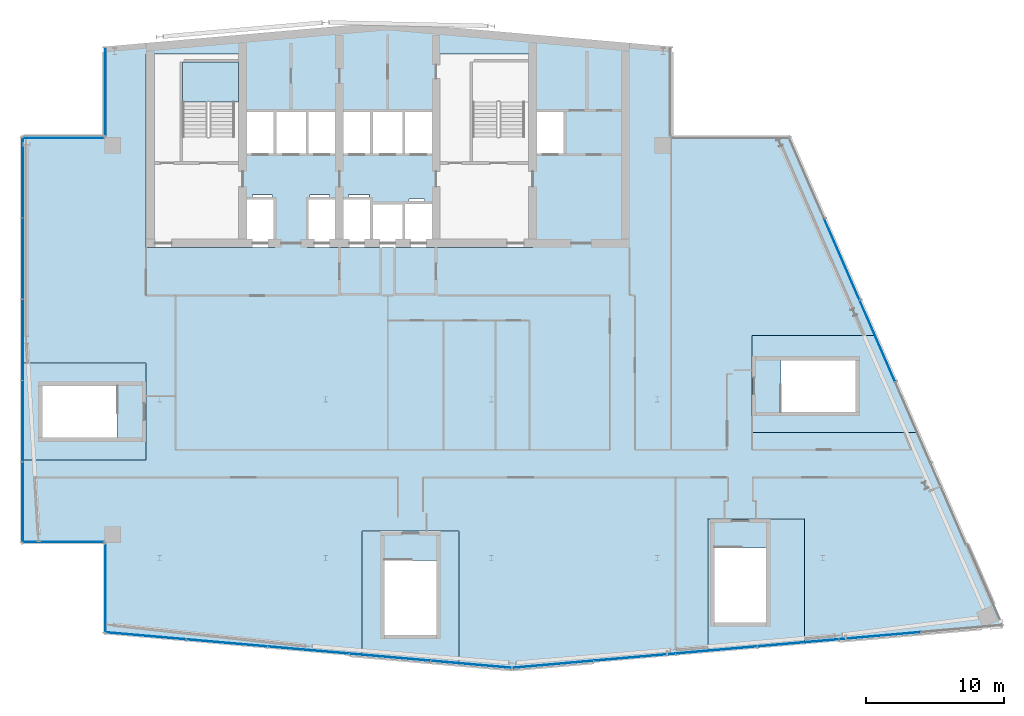
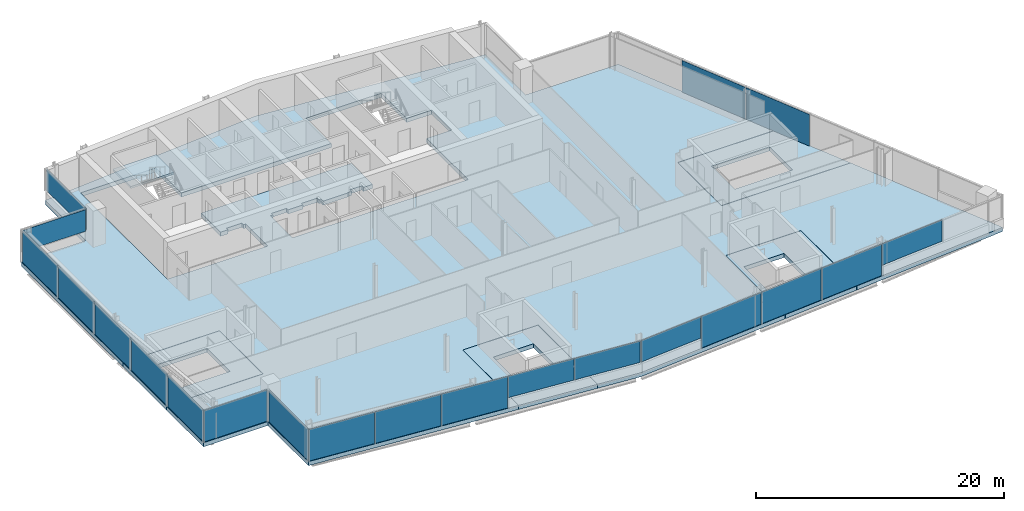
# One storey, part 12 of 19: 21 plates, 6 slabs, 9 elements without a shape of their own.
"""IFC4 building model written with IfcOpenShell, lengths in metres."""

from ifc_helpers import new_model, si_unit, direction, frame, origin, origin_2d, place, context, subcontext, project, spatial, polyline, rectangle, outline, extrude, material, layer, layer_set, type_object, element, aggregate, save


model = new_model("IFC4")

# Units and contexts
model_context = context("Model", 3, precision=1e-05, world=origin(), true_north=direction((0.0, 1.0)))
body_context = subcontext(model_context, "Body", "Model", "MODEL_VIEW")
ifc_project = project(units=[si_unit("LENGTHUNIT", "METRE"), si_unit("AREAUNIT", "SQUARE_METRE"), si_unit("VOLUMEUNIT", "CUBIC_METRE"), si_unit("PLANEANGLEUNIT", "RADIAN"), si_unit("MASSUNIT", "GRAM", prefix="KILO")], contexts=[model_context])

# Site, building, storey
site_placement = place(None, origin())
site = spatial("IfcSite", under=ifc_project, at=site_placement, CompositionType="ELEMENT")
building_placement = place(site_placement, origin())
building = spatial("IfcBuilding", under=site, at=building_placement, Name="Wharfspan Tower", CompositionType="ELEMENT")
storey_placement = place(building_placement, frame((0.0, 0.0, 257.5)))
storey = spatial("IfcBuildingStorey", under=building, at=storey_placement, Name="L65", CompositionType="ELEMENT", Elevation=257.5)

# Curtain wall, plates
ifc_material_1 = material(Name="Aluminium 6063-T6", Category="aluminium")
curtain_wall_type_1 = type_object("IfcCurtainWallType", Name="CURTAIN WALL FACETED FRONT", PredefinedType="NOTDEFINED", material=ifc_material_1)
curtain_wall_1_placement = place(storey_placement, origin())
curtain_wall_1 = element("IfcCurtainWall", 1, at=curtain_wall_1_placement, inside=storey, type_object=curtain_wall_type_1, Name="Curtain wall S1", PredefinedType="NOTDEFINED")
ifc_material_2 = material(Name="Glass clear low-iron double glazing", Category="glass")
ifc_layer_1 = layer(ifc_material_2, 0.040039)
ifc_layer_set_1 = layer_set([ifc_layer_1], Name="Glass clear low-iron double glazing")
plate_type_1 = type_object("IfcPlateType", Name="GLASS PANEL FACETED FRONT 40", PredefinedType="CURTAIN_PANEL", material=ifc_layer_set_1)
plate_1_placement = place(storey_placement, frame((40.655273, 4.328125, 1.0), z_axis=(0.0, 0.0, 1.0), x_axis=(0.996197, -0.087156, 0.0)))
plate_1 = element("IfcPlate", 2, at=plate_1_placement, type_object=plate_type_1, Name="Curtain wall S1 panel 4", PredefinedType="CURTAIN_PANEL", context=body_context, shape_type="SweptSolid", body=[
    extrude(rectangle(XDim=5.862549, YDim=0.040039, at=origin_2d()), origin(), (0.0, 0.0, 1.0), 2.120117),
])
plate_2_placement = place(storey_placement, frame((46.540283, 3.813232, 1.0), z_axis=(0.0, 0.0, 1.0), x_axis=(0.996197, -0.087156, 0.0)))
plate_2 = element("IfcPlate", 3, at=plate_2_placement, type_object=plate_type_1, Name="Curtain wall S1 panel 5", PredefinedType="CURTAIN_PANEL", context=body_context, shape_type="SweptSolid", body=[
    extrude(rectangle(XDim=5.83252, YDim=0.040039, at=origin_2d()), origin(), (0.0, 0.0, 1.0), 2.120117),
])

curtain_wall_2_placement = place(storey_placement, origin())
curtain_wall_2 = element("IfcCurtainWall", 4, at=curtain_wall_2_placement, inside=storey, type_object=curtain_wall_type_1, Name="Curtain wall S2", PredefinedType="NOTDEFINED")
plate_3_placement = place(storey_placement, frame((52.468018, 3.813965, 1.0), z_axis=(0.0, 0.0, 1.0), x_axis=(0.996197, 0.087156, 0.0)))
plate_3 = element("IfcPlate", 5, at=plate_3_placement, type_object=plate_type_1, Name="Curtain wall S2 panel 1", PredefinedType="CURTAIN_PANEL", context=body_context, shape_type="SweptSolid", body=[
    extrude(rectangle(XDim=5.849365, YDim=0.040039, at=origin_2d()), origin(), (0.0, 0.0, 1.0), 2.120117),
])
plate_4_placement = place(storey_placement, frame((76.119873, 5.883301, 1.0), z_axis=(0.0, 0.0, 1.0), x_axis=(0.996197, 0.087156, 0.0)))
plate_4 = element("IfcPlate", 6, at=plate_4_placement, type_object=plate_type_1, Name="Curtain wall S2 panel 5", PredefinedType="CURTAIN_PANEL", context=body_context, shape_type="SweptSolid", body=[
    extrude(rectangle(XDim=5.87915, YDim=0.040039, at=origin_2d()), origin(), (0.0, 0.0, 1.0), 2.120117),
])

# Curtain wall, plate
curtain_wall_type_2 = type_object("IfcCurtainWallType", Name="CURTAIN WALL PROW AND END", PredefinedType="NOTDEFINED", material=ifc_material_1)
curtain_wall_3_placement = place(storey_placement, origin())
curtain_wall_3 = element("IfcCurtainWall", 7, at=curtain_wall_3_placement, inside=storey, type_object=curtain_wall_type_2, Name="Curtain wall NRW-V", PredefinedType="NOTDEFINED")
ifc_layer_2 = layer(ifc_material_2, 0.040039)
ifc_layer_set_2 = layer_set([ifc_layer_2], Name="Glass clear low-iron double glazing")
plate_type_2 = type_object("IfcPlateType", Name="GLASS PANEL PROW AND END 40", PredefinedType="CURTAIN_PANEL", material=ifc_layer_set_2)
plate_5_placement = place(storey_placement, frame((20.080078, 45.262451, 1.0), z_axis=(0.0, 0.0, 1.0), x_axis=(0.0, -1.0, 0.0)))
plate_5 = element("IfcPlate", 8, at=plate_5_placement, type_object=plate_type_2, Name="Curtain wall NRW-V panel 1", PredefinedType="CURTAIN_PANEL", context=body_context, shape_type="SweptSolid", body=[
    extrude(rectangle(XDim=6.405029, YDim=0.040039, at=origin_2d()), origin(), (0.0, 0.0, 1.0), 2.120117),
])
aggregate(curtain_wall_3, [plate_5])

curtain_wall_4_placement = place(storey_placement, origin())
curtain_wall_4 = element("IfcCurtainWall", 9, at=curtain_wall_4_placement, inside=storey, type_object=curtain_wall_type_2, Name="Curtain wall NRW-H", PredefinedType="NOTDEFINED")
plate_6_placement = place(storey_placement, frame((17.0, 41.919922, 1.0), z_axis=(0.0, 0.0, 1.0), x_axis=(-1.0, 0.0, 0.0)))
plate_6 = element("IfcPlate", 10, at=plate_6_placement, type_object=plate_type_2, Name="Curtain wall NRW-H panel 1", PredefinedType="CURTAIN_PANEL", context=body_context, shape_type="SweptSolid", body=[
    extrude(rectangle(XDim=5.879883, YDim=0.040039, at=origin_2d()), origin(), (0.0, 0.0, 1.0), 2.120117),
])
aggregate(curtain_wall_4, [plate_6])

# Plate
ifc_material_3 = material(Name="Aluminium composite opaque insulated panel", Category="aluminium")
ifc_layer_3 = layer(ifc_material_3, 0.040039)
ifc_layer_set_3 = layer_set([ifc_layer_3], Name="Aluminium composite opaque insulated panel")
plate_type_3 = type_object("IfcPlateType", Name="INFILL PANEL FACETED FRONT OPAQUE 40", PredefinedType="SHEET", material=ifc_layer_set_3)
plate_7_placement = place(storey_placement, frame((22.970215, 5.875488, 0.0), z_axis=(0.0, 0.0, 1.0), x_axis=(0.996197, -0.087156, 0.0)))
plate_7 = element("IfcPlate", 11, at=plate_7_placement, type_object=plate_type_3, Name="Curtain wall S1 panel 1", PredefinedType="SHEET", context=body_context, shape_type="SweptSolid", body=[
    extrude(rectangle(XDim=5.83252, YDim=0.040039, at=origin_2d()), origin(), (0.0, 0.0, 1.0), 3.120117),
])

plate_8_placement = place(storey_placement, frame((28.855225, 5.360596, 0.0), z_axis=(0.0, 0.0, 1.0), x_axis=(0.996197, -0.087156, 0.0)))
plate_8 = element("IfcPlate", 12, at=plate_8_placement, type_object=plate_type_3, Name="Curtain wall S1 panel 2", PredefinedType="SHEET", context=body_context, shape_type="SweptSolid", body=[
    extrude(rectangle(XDim=5.862549, YDim=0.040039, at=origin_2d()), origin(), (0.0, 0.0, 1.0), 3.120117),
])

plate_9_placement = place(storey_placement, frame((34.755127, 4.844482, 0.0), z_axis=(0.0, 0.0, 1.0), x_axis=(0.996197, -0.087156, 0.0)))
plate_9 = element("IfcPlate", 13, at=plate_9_placement, type_object=plate_type_3, Name="Curtain wall S1 panel 3", PredefinedType="SHEET", context=body_context, shape_type="SweptSolid", body=[
    extrude(rectangle(XDim=5.862549, YDim=0.040039, at=origin_2d()), origin(), (0.0, 0.0, 1.0), 3.120117),
])

aggregate(curtain_wall_1, [plate_7, plate_8, plate_9, plate_1, plate_2])

plate_10_placement = place(storey_placement, frame((58.369873, 4.330322, 0.0), z_axis=(0.0, 0.0, 1.0), x_axis=(0.996197, 0.087156, 0.0)))
plate_10 = element("IfcPlate", 14, at=plate_10_placement, type_object=plate_type_3, Name="Curtain wall S2 panel 2", PredefinedType="SHEET", context=body_context, shape_type="SweptSolid", body=[
    extrude(rectangle(XDim=5.87915, YDim=0.040039, at=origin_2d()), origin(), (0.0, 0.0, 1.0), 3.120117),
])

plate_11_placement = place(storey_placement, frame((64.286377, 4.848145, 0.0), z_axis=(0.0, 0.0, 1.0), x_axis=(0.996197, 0.087156, 0.0)))
plate_11 = element("IfcPlate", 15, at=plate_11_placement, type_object=plate_type_3, Name="Curtain wall S2 panel 3", PredefinedType="SHEET", context=body_context, shape_type="SweptSolid", body=[
    extrude(rectangle(XDim=5.87915, YDim=0.040039, at=origin_2d()), origin(), (0.0, 0.0, 1.0), 3.120117),
])

plate_12_placement = place(storey_placement, frame((70.203125, 5.365723, 0.0), z_axis=(0.0, 0.0, 1.0), x_axis=(0.996197, 0.087156, 0.0)))
plate_12 = element("IfcPlate", 16, at=plate_12_placement, type_object=plate_type_3, Name="Curtain wall S2 panel 4", PredefinedType="SHEET", context=body_context, shape_type="SweptSolid", body=[
    extrude(rectangle(XDim=5.87915, YDim=0.040039, at=origin_2d()), origin(), (0.0, 0.0, 1.0), 3.120117),
])

aggregate(curtain_wall_2, [plate_3, plate_10, plate_11, plate_12, plate_4])

# Curtain wall, plates
curtain_wall_5_placement = place(storey_placement, origin())
curtain_wall_5 = element("IfcCurtainWall", 17, at=curtain_wall_5_placement, inside=storey, type_object=curtain_wall_type_2, Name="Curtain wall E", PredefinedType="NOTDEFINED")
ifc_layer_4 = layer(ifc_material_3, 0.040039)
ifc_layer_set_4 = layer_set([ifc_layer_4], Name="Aluminium composite opaque insulated panel")
plate_type_4 = type_object("IfcPlateType", Name="INFILL PANEL PROW AND END OPAQUE 40", PredefinedType="SHEET", material=ifc_layer_set_4)
plate_13_placement = place(storey_placement, frame((75.948486, 27.218018, 0.0), z_axis=(0.0, 0.0, 1.0), x_axis=(-0.398727, 0.917072, 0.0)))
plate_13 = element("IfcPlate", 18, at=plate_13_placement, type_object=plate_type_4, Name="Curtain wall E panel 4", PredefinedType="SHEET", context=body_context, shape_type="SweptSolid", body=[
    extrude(rectangle(XDim=6.373535, YDim=0.040039, at=origin_2d()), origin(), (0.0, 0.0, 1.0), 3.120117),
])
plate_14_placement = place(storey_placement, frame((73.383057, 33.118164, 0.0), z_axis=(0.0, 0.0, 1.0), x_axis=(-0.398727, 0.917072, 0.0)))
plate_14 = element("IfcPlate", 19, at=plate_14_placement, type_object=plate_type_4, Name="Curtain wall E panel 5", PredefinedType="SHEET", context=body_context, shape_type="SweptSolid", body=[
    extrude(rectangle(XDim=6.373535, YDim=0.040039, at=origin_2d()), origin(), (0.0, 0.0, 1.0), 3.120117),
])
aggregate(curtain_wall_5, [plate_13, plate_14])

curtain_wall_6_placement = place(storey_placement, origin())
curtain_wall_6 = element("IfcCurtainWall", 20, at=curtain_wall_6_placement, inside=storey, type_object=curtain_wall_type_2, Name="Curtain wall W", PredefinedType="NOTDEFINED")
plate_15_placement = place(storey_placement, frame((14.080078, 39.044922, 0.0), z_axis=(0.0, 0.0, 1.0), x_axis=(0.0, -1.0, 0.0)))
plate_15 = element("IfcPlate", 21, at=plate_15_placement, type_object=plate_type_4, Name="Curtain wall W panel 1", PredefinedType="SHEET", context=body_context, shape_type="SweptSolid", body=[
    extrude(rectangle(XDim=5.790039, YDim=0.040039, at=origin_2d()), origin(), (0.0, 0.0, 1.0), 3.120117),
])
plate_16_placement = place(storey_placement, frame((14.080078, 33.179932, 0.0), z_axis=(0.0, 0.0, 1.0), x_axis=(0.0, -1.0, 0.0)))
plate_16 = element("IfcPlate", 22, at=plate_16_placement, type_object=plate_type_4, Name="Curtain wall W panel 2", PredefinedType="SHEET", context=body_context, shape_type="SweptSolid", body=[
    extrude(rectangle(XDim=5.820068, YDim=0.040039, at=origin_2d()), origin(), (0.0, 0.0, 1.0), 3.120117),
])
plate_17_placement = place(storey_placement, frame((14.080078, 27.300049, 0.0), z_axis=(0.0, 0.0, 1.0), x_axis=(0.0, -1.0, 0.0)))
plate_17 = element("IfcPlate", 23, at=plate_17_placement, type_object=plate_type_4, Name="Curtain wall W panel 3", PredefinedType="SHEET", context=body_context, shape_type="SweptSolid", body=[
    extrude(rectangle(XDim=5.820068, YDim=0.040039, at=origin_2d()), origin(), (0.0, 0.0, 1.0), 3.120117),
])
plate_18_placement = place(storey_placement, frame((14.080078, 21.419922, 0.0), z_axis=(0.0, 0.0, 1.0), x_axis=(0.0, -1.0, 0.0)))
plate_18 = element("IfcPlate", 24, at=plate_18_placement, type_object=plate_type_4, Name="Curtain wall W panel 4", PredefinedType="SHEET", context=body_context, shape_type="SweptSolid", body=[
    extrude(rectangle(XDim=5.820068, YDim=0.040039, at=origin_2d()), origin(), (0.0, 0.0, 1.0), 3.120117),
])
plate_19_placement = place(storey_placement, frame((14.080078, 15.554932, 0.0), z_axis=(0.0, 0.0, 1.0), x_axis=(0.0, -1.0, 0.0)))
plate_19 = element("IfcPlate", 25, at=plate_19_placement, type_object=plate_type_4, Name="Curtain wall W panel 5", PredefinedType="SHEET", context=body_context, shape_type="SweptSolid", body=[
    extrude(rectangle(XDim=5.790039, YDim=0.040039, at=origin_2d()), origin(), (0.0, 0.0, 1.0), 3.120117),
])
aggregate(curtain_wall_6, [plate_15, plate_16, plate_17, plate_18, plate_19])

# Curtain wall, plate
curtain_wall_7_placement = place(storey_placement, origin())
curtain_wall_7 = element("IfcCurtainWall", 26, at=curtain_wall_7_placement, inside=storey, type_object=curtain_wall_type_2, Name="Curtain wall NFW-H", PredefinedType="NOTDEFINED")
plate_20_placement = place(storey_placement, frame((17.0, 12.679932, 0.0), z_axis=(0.0, 0.0, 1.0), x_axis=(1.0, 0.0, 0.0)))
plate_20 = element("IfcPlate", 27, at=plate_20_placement, type_object=plate_type_4, Name="Curtain wall NFW-H panel 1", PredefinedType="SHEET", context=body_context, shape_type="SweptSolid", body=[
    extrude(rectangle(XDim=5.879883, YDim=0.040039, at=origin_2d()), origin(), (0.0, 0.0, 1.0), 3.120117),
])
aggregate(curtain_wall_7, [plate_20])

curtain_wall_8_placement = place(storey_placement, origin())
curtain_wall_8 = element("IfcCurtainWall", 28, at=curtain_wall_8_placement, inside=storey, type_object=curtain_wall_type_2, Name="Curtain wall NFW-V", PredefinedType="NOTDEFINED")
plate_21_placement = place(storey_placement, frame((20.080078, 9.337646, 0.0), z_axis=(0.0, 0.0, 1.0), x_axis=(0.0, -1.0, 0.0)))
plate_21 = element("IfcPlate", 29, at=plate_21_placement, type_object=plate_type_4, Name="Curtain wall NFW-V panel 1", PredefinedType="SHEET", context=body_context, shape_type="SweptSolid", body=[
    extrude(rectangle(XDim=6.405029, YDim=0.040039, at=origin_2d()), origin(), (0.0, 0.0, 1.0), 3.120117),
])
aggregate(curtain_wall_8, [plate_21])

# Slabs
ifc_material_4 = material(Name="Concrete C40/50", Category="concrete")
ifc_layer_5 = layer(ifc_material_4, 0.399902)
ifc_layer_set_5 = layer_set([ifc_layer_5], Name="Concrete C40/50")
slab_type_1 = type_object("IfcSlabType", Name="Post-tensioned flat slab 400", PredefinedType="FLOOR", material=ifc_layer_set_5)
slab_1_placement = place(storey_placement, frame((0.0, 0.0, -0.400146)))
element("IfcSlab", 30, at=slab_1_placement, inside=storey, type_object=slab_type_1, Name="Floor slab L65", PredefinedType="FLOOR", context=body_context, shape_type="SweptSolid", body=[
    extrude(outline(polyline([(38.64209, 4.444092), (38.64209, 13.453125), (45.662109, 13.453125), (45.662109, 3.829834), (49.5, 3.494141), (63.658691, 4.73291), (63.658691, 14.356201), (70.678711, 14.356201), (70.678711, 5.347168), (85.0, 6.600098), (78.91748, 20.590088), (66.859619, 20.590088), (66.859619, 27.610107), (75.865234, 27.610107), (69.608643, 42.0), (61.0, 42.0), (61.0, 48.524902), (40.5, 50.318359), (20.0, 48.524902), (20.0, 42.0), (14.0, 42.0), (14.0, 25.610107), (23.01001, 25.610107), (23.01001, 18.590088), (14.0, 18.590088), (14.0, 12.600098), (20.0, 12.600098), (20.0, 6.075195), (38.64209, 4.444092)]), holes=[polyline([(32.126709, 37.560059), (32.343262, 37.560059), (32.343262, 33.98999), (22.98999, 33.98999), (22.98999, 48.01001), (30.01001, 48.01001), (30.01001, 43.909912), (43.98999, 43.909912), (43.98999, 48.01001), (51.01001, 48.01001), (51.01001, 43.909912), (53.343262, 43.909912), (53.343262, 40.689941), (51.01001, 40.689941), (51.01001, 33.98999), (34.656738, 33.98999), (34.656738, 37.560059), (34.873291, 37.560059), (34.873291, 37.810059), (36.293213, 37.810059), (36.293213, 37.560059), (37.666748, 37.560059), (37.666748, 37.810059), (39.166748, 37.810059), (39.166748, 37.560059), (39.343262, 37.560059), (39.343262, 37.209961), (41.656738, 37.209961), (41.656738, 37.26001), (42.023193, 37.26001), (42.023193, 37.51001), (43.143311, 37.51001), (43.143311, 37.26001), (43.98999, 37.26001), (43.98999, 40.689941), (30.01001, 40.689941), (30.01001, 37.560059), (30.706787, 37.560059), (30.706787, 37.810059), (32.126709, 37.810059), (32.126709, 37.560059)])]), origin(), (0.0, 0.0, 1.0), 0.400146),
])
slab_2_placement = place(storey_placement, frame((0.0, 0.0, -0.400146)))
element("IfcSlab", 31, at=slab_2_placement, inside=storey, type_object=slab_type_1, Name="Core floor slab L65 part 1", PredefinedType="FLOOR", context=body_context, shape_type="SweptSolid", body=[
    extrude(outline(polyline([(23.0, 19.925049), (23.0, 24.274902), (23.0, 25.600098), (14.0, 25.600098), (14.0, 18.600098), (23.0, 18.600098), (23.0, 19.925049)]), holes=[polyline([(20.899902, 23.977051), (20.900146, 23.977051), (20.900391, 23.977051), (20.900635, 23.976807), (20.900879, 23.976807), (20.900879, 23.976807), (20.901123, 23.976807), (20.901367, 23.976562), (20.901367, 23.976318), (20.901611, 23.976318), (20.901611, 23.976074), (20.901855, 23.97583), (20.901855, 23.97583), (20.901855, 23.975586), (20.9021, 23.975342), (20.9021, 23.975098), (20.9021, 23.975098), (20.9021, 20.225098), (20.9021, 20.224854), (20.9021, 20.224609), (20.901855, 20.224365), (20.901855, 20.224121), (20.901855, 20.224121), (20.901611, 20.223877), (20.901611, 20.223633), (20.901367, 20.223633), (20.901367, 20.223389), (20.901123, 20.223389), (20.900879, 20.223145), (20.900879, 20.223145), (20.900635, 20.223145), (20.900391, 20.2229), (20.900146, 20.2229), (20.899902, 20.2229), (15.5, 20.2229), (15.499756, 20.2229), (15.499512, 20.2229), (15.499512, 20.223145), (15.499268, 20.223145), (15.499023, 20.223145), (15.498779, 20.223389), (15.498779, 20.223389), (15.498535, 20.223633), (15.498535, 20.223633), (15.498291, 20.223877), (15.498291, 20.224121), (15.498291, 20.224121), (15.498047, 20.224365), (15.498047, 20.224609), (15.498047, 20.224854), (15.498047, 20.225098), (15.498047, 23.975098), (15.498047, 23.975098), (15.498047, 23.975342), (15.498047, 23.975586), (15.498291, 23.97583), (15.498291, 23.97583), (15.498291, 23.976074), (15.498535, 23.976318), (15.498535, 23.976318), (15.498779, 23.976562), (15.498779, 23.976807), (15.499023, 23.976807), (15.499268, 23.976807), (15.499512, 23.976807), (15.499512, 23.977051), (15.499756, 23.977051), (15.5, 23.977051), (20.899902, 23.977051)])]), origin(), (0.0, 0.0, 1.0), 0.400146),
])
slab_3_placement = place(storey_placement, frame((0.0, 0.0, -0.400146)))
element("IfcSlab", 32, at=slab_3_placement, inside=storey, type_object=slab_type_1, Name="Core floor slab L65 part 3", PredefinedType="FLOOR", context=body_context, shape_type="SweptSolid", body=[
    extrude(outline(polyline([(44.327148, 13.443115), (39.977051, 13.443115), (38.6521, 13.443115), (38.6521, 4.443115), (45.6521, 3.830811), (45.6521, 13.443115), (44.327148, 13.443115)]), holes=[polyline([(40.275146, 11.343262), (40.275146, 11.343506), (40.275146, 11.343506), (40.275146, 11.34375), (40.275391, 11.343994), (40.275391, 11.344238), (40.275391, 11.344238), (40.275635, 11.344482), (40.275635, 11.344482), (40.275879, 11.344727), (40.275879, 11.344971), (40.276123, 11.344971), (40.276367, 11.345215), (40.276611, 11.345215), (40.276611, 11.345215), (40.276855, 11.345215), (40.2771, 11.345215), (44.0271, 11.345215), (44.027344, 11.345215), (44.027588, 11.345215), (44.027588, 11.345215), (44.027832, 11.345215), (44.028076, 11.344971), (44.02832, 11.344971), (44.02832, 11.344727), (44.028564, 11.344482), (44.028809, 11.344482), (44.028809, 11.344238), (44.028809, 11.344238), (44.029053, 11.343994), (44.029053, 11.34375), (44.029053, 11.343506), (44.029053, 11.343506), (44.029053, 11.343262), (44.029053, 5.943115), (44.029053, 5.943115), (44.029053, 5.942871), (44.029053, 5.942627), (44.029053, 5.942383), (44.028809, 5.942383), (44.028809, 5.942139), (44.028809, 5.941895), (44.028564, 5.941895), (44.02832, 5.94165), (44.02832, 5.94165), (44.028076, 5.941406), (44.027832, 5.941406), (44.027588, 5.941406), (44.027588, 5.941406), (44.027344, 5.941162), (44.0271, 5.941162), (40.2771, 5.941162), (40.276855, 5.941162), (40.276611, 5.941406), (40.276611, 5.941406), (40.276367, 5.941406), (40.276123, 5.941406), (40.275879, 5.94165), (40.275879, 5.94165), (40.275635, 5.941895), (40.275635, 5.941895), (40.275391, 5.942139), (40.275391, 5.942383), (40.275391, 5.942383), (40.275146, 5.942627), (40.275146, 5.942871), (40.275146, 5.943115), (40.275146, 5.943115), (40.275146, 11.343262)])]), origin(), (0.0, 0.0, 1.0), 0.400146),
])
slab_4_placement = place(storey_placement, frame((0.0, 0.0, -0.400146)))
element("IfcSlab", 33, at=slab_4_placement, inside=storey, type_object=slab_type_1, Name="Core floor slab L65 part 4", PredefinedType="FLOOR", context=body_context, shape_type="SweptSolid", body=[
    extrude(outline(polyline([(70.668701, 14.346191), (68.193848, 14.346191), (63.84375, 14.346191), (63.668701, 14.346191), (63.668701, 4.733887), (70.668701, 5.346191), (70.668701, 14.346191)]), holes=[polyline([(64.141846, 12.246094), (64.141846, 12.246338), (64.141846, 12.246582), (64.141846, 12.246826), (64.14209, 12.246826), (64.14209, 12.24707), (64.14209, 12.247314), (64.142334, 12.247559), (64.142334, 12.247559), (64.142578, 12.247803), (64.142578, 12.247803), (64.142822, 12.247803), (64.143066, 12.248047), (64.143311, 12.248047), (64.143311, 12.248047), (64.143555, 12.248291), (64.143799, 12.248291), (67.893799, 12.248291), (67.894043, 12.248291), (67.894287, 12.248047), (67.894287, 12.248047), (67.894531, 12.248047), (67.894775, 12.247803), (67.89502, 12.247803), (67.89502, 12.247803), (67.895264, 12.247559), (67.895508, 12.247559), (67.895508, 12.247314), (67.895508, 12.24707), (67.895752, 12.246826), (67.895752, 12.246826), (67.895752, 12.246582), (67.895752, 12.246338), (67.895752, 12.246094), (67.895752, 6.846191), (67.895752, 6.845947), (67.895752, 6.845703), (67.895752, 6.845703), (67.895752, 6.845459), (67.895508, 6.845215), (67.895508, 6.845215), (67.895508, 6.844971), (67.895264, 6.844727), (67.89502, 6.844482), (67.89502, 6.844482), (67.894775, 6.844482), (67.894531, 6.844238), (67.894287, 6.844238), (67.894287, 6.844238), (67.894043, 6.844238), (67.893799, 6.844238), (64.143799, 6.844238), (64.143555, 6.844238), (64.143311, 6.844238), (64.143311, 6.844238), (64.143066, 6.844238), (64.142822, 6.844482), (64.142578, 6.844482), (64.142578, 6.844482), (64.142334, 6.844727), (64.142334, 6.844971), (64.14209, 6.845215), (64.14209, 6.845215), (64.14209, 6.845459), (64.141846, 6.845703), (64.141846, 6.845703), (64.141846, 6.845947), (64.141846, 6.846191), (64.141846, 12.246094)])]), origin(), (0.0, 0.0, 1.0), 0.400146),
])
slab_5_placement = place(storey_placement, frame((0.0, 0.0, -0.400146)))
element("IfcSlab", 34, at=slab_5_placement, inside=storey, type_object=slab_type_1, Name="Core floor slab L65 part 5", PredefinedType="FLOOR", context=body_context, shape_type="SweptSolid", body=[
    extrude(outline(polyline([(75.869629, 27.600098), (66.869629, 27.600098), (66.869629, 26.125), (66.869629, 21.774902), (66.869629, 20.600098), (78.913086, 20.600098), (75.869629, 27.600098)]), holes=[polyline([(68.967529, 25.824951), (68.967529, 25.825195), (68.967529, 25.825439), (68.967773, 25.825684), (68.967773, 25.825684), (68.967773, 25.825928), (68.968018, 25.826172), (68.968018, 25.826416), (68.968262, 25.826416), (68.968262, 25.826416), (68.968506, 25.82666), (68.968506, 25.826904), (68.96875, 25.826904), (68.968994, 25.826904), (68.969238, 25.826904), (68.969482, 25.826904), (68.969482, 25.826904), (74.369629, 25.826904), (74.369873, 25.826904), (74.370117, 25.826904), (74.370117, 25.826904), (74.370361, 25.826904), (74.370605, 25.826904), (74.370605, 25.82666), (74.37085, 25.826416), (74.371094, 25.826416), (74.371094, 25.826416), (74.371094, 25.826172), (74.371338, 25.825928), (74.371338, 25.825684), (74.371582, 25.825684), (74.371582, 25.825439), (74.371582, 25.825195), (74.371582, 25.824951), (74.371582, 22.074951), (74.371582, 22.074707), (74.371582, 22.074707), (74.371582, 22.074463), (74.371338, 22.074219), (74.371338, 22.074219), (74.371094, 22.073975), (74.371094, 22.07373), (74.371094, 22.073486), (74.37085, 22.073486), (74.370605, 22.073242), (74.370605, 22.073242), (74.370361, 22.073242), (74.370117, 22.072998), (74.370117, 22.072998), (74.369873, 22.072998), (74.369629, 22.072998), (68.969482, 22.072998), (68.969482, 22.072998), (68.969238, 22.072998), (68.968994, 22.072998), (68.96875, 22.073242), (68.968506, 22.073242), (68.968506, 22.073242), (68.968262, 22.073486), (68.968262, 22.073486), (68.968018, 22.07373), (68.968018, 22.073975), (68.967773, 22.074219), (68.967773, 22.074219), (68.967773, 22.074463), (68.967529, 22.074707), (68.967529, 22.074707), (68.967529, 22.074951), (68.967529, 25.824951)])]), origin(), (0.0, 0.0, 1.0), 0.400146),
])

# Stair, slab
stair_type = type_object("IfcStairType", Name="Half-turn stair 20 risers 180 mm", PredefinedType="HALF_TURN_STAIR", material=ifc_material_4)
stair_placement = place(storey_placement, origin())
stair = element("IfcStair", 35, at=stair_placement, inside=storey, type_object=stair_type, Name="L65 stair ST1", PredefinedType="HALF_TURN_STAIR")
ifc_layer_6 = layer(ifc_material_4, 0.199951)
ifc_layer_set_6 = layer_set([ifc_layer_6], Name="Concrete C40/50")
slab_type_2 = type_object("IfcSlabType", Name="Stair landing 200", PredefinedType="LANDING", material=ifc_layer_set_6)
slab_6_placement = place(storey_placement, frame((0.0, 0.0, 1.599854)))
slab_6 = element("IfcSlab", 36, at=slab_6_placement, type_object=slab_type_2, Name="ST1 landing 1", PredefinedType="LANDING", context=body_context, shape_type="SweptSolid", body=[
    extrude(outline(polyline([(25.649902, 44.52002), (29.699951, 44.52002), (29.699951, 47.399902), (25.649902, 47.399902), (25.649902, 44.52002)])), origin(), (0.0, 0.0, 1.0), 0.200195),
])
aggregate(stair, [slab_6])

save(model, "model.ifc")
